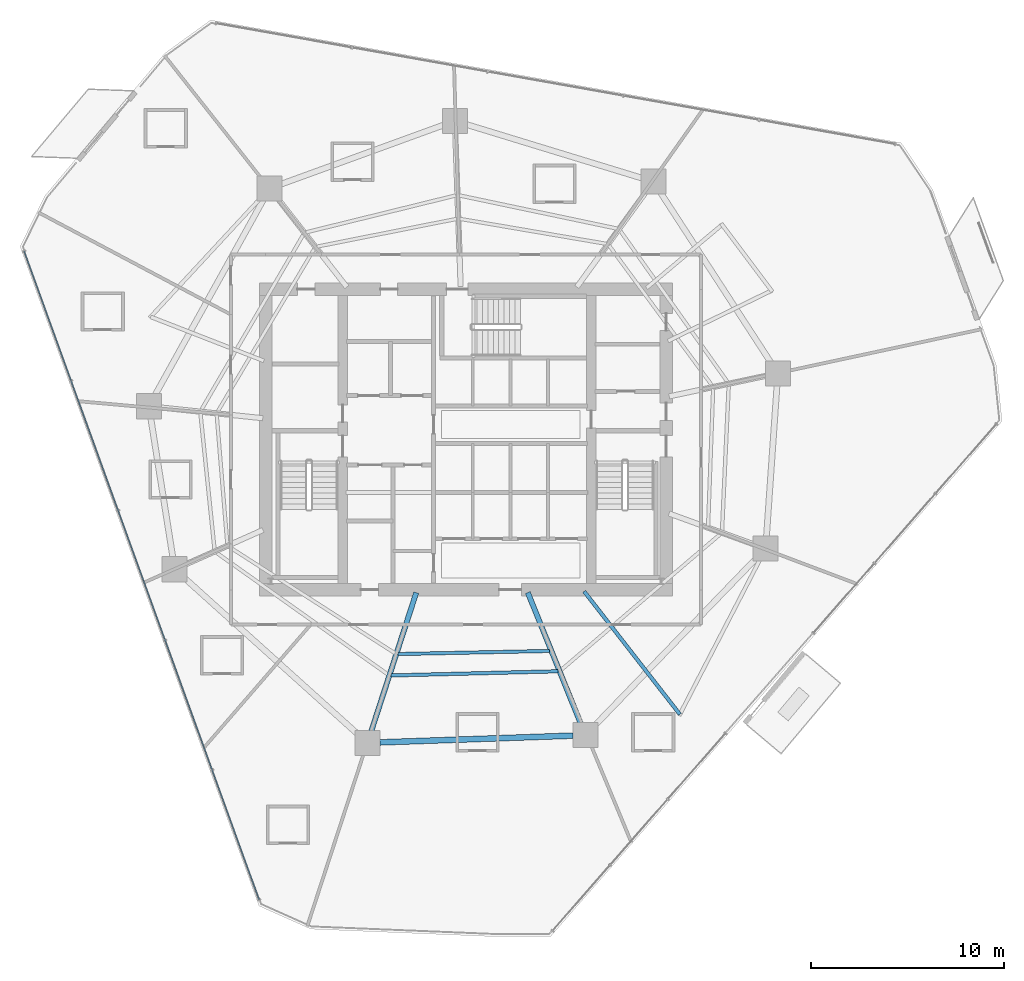
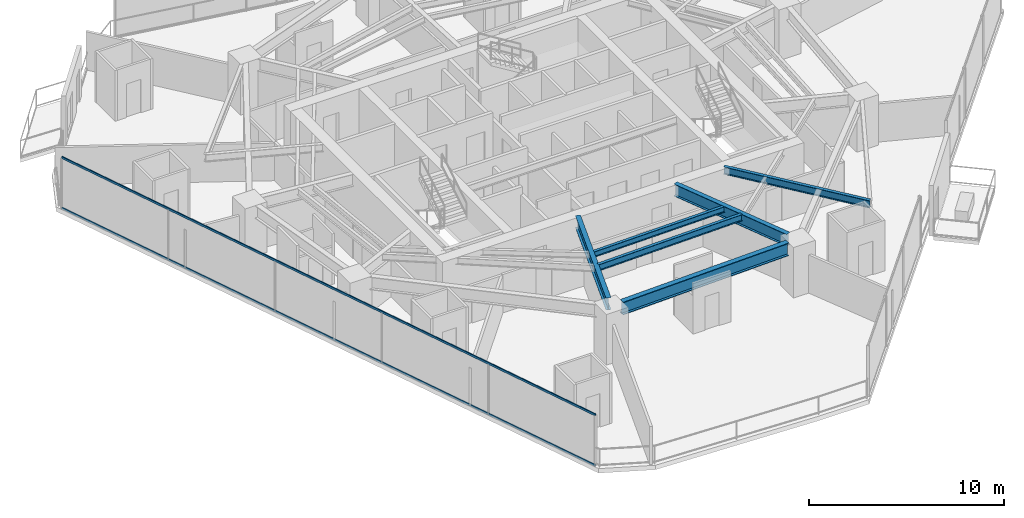
# One storey, part 6 of 33: 6 beams, 2 members, 1 element without a shape of its own.
"""IFC4 building model written with IfcOpenShell, lengths in metres."""

from ifc_helpers import new_model, si_unit, direction, frame, origin, origin_2d, place, context, subcontext, project, spatial, hollow_rectangle, i_section, extrude, material, layer, layer_set, material_profile, profile_set, type_object, element, aggregate, save


model = new_model("IFC4")

# Units and contexts
model_context = context("Model", 3, precision=1e-05, world=origin(), true_north=direction((0.0, 1.0)))
body_context = subcontext(model_context, "Body", "Model", "MODEL_VIEW")
ifc_project = project(units=[si_unit("LENGTHUNIT", "METRE"), si_unit("AREAUNIT", "SQUARE_METRE"), si_unit("VOLUMEUNIT", "CUBIC_METRE"), si_unit("PLANEANGLEUNIT", "RADIAN"), si_unit("MASSUNIT", "GRAM", prefix="KILO")], contexts=[model_context])

# Site, building, storey
site_placement = place(None, origin())
site = spatial("IfcSite", under=ifc_project, at=site_placement, CompositionType="ELEMENT")
building_placement = place(site_placement, origin())
building = spatial("IfcBuilding", under=site, at=building_placement, Name="Qarnah Convention Tower", CompositionType="ELEMENT")
storey_placement = place(building_placement, frame((0.0, 0.0, 30.449951171875)))
storey = spatial("IfcBuildingStorey", under=building, at=storey_placement, Name="L06", CompositionType="ELEMENT", Elevation=30.449951171875)

# Beams
ifc_material_1 = material(Name="Structural steel S355JR", Category="steel")
ifc_material_profile_1 = material_profile(ifc_material_1, i_section(OverallWidth=0.19189453125, OverallDepth=0.464111328125, WebThickness=0.010986328125, FlangeThickness=0.01806640625, at=origin_2d()), Name="W460X89")
ifc_profile_set_1 = profile_set([ifc_material_profile_1], Name="Structural steel S355JR")
beam_type_1 = type_object("IfcBeamType", Name="BM-CANT-W460A", PredefinedType="BEAM", material=ifc_profile_set_1)
beam_1_placement = place(storey_placement, frame((43.3310546875, 18.52099609375, 2.93798828125), z_axis=(0.61429570134, -0.789075909729, 0.0), x_axis=(0.789075909729, 0.61429570134, 0.0)))
element("IfcBeam", 1, at=beam_1_placement, inside=storey, type_object=beam_type_1, Name="L06 beam BM-L06-CNT-03-2", PredefinedType="BEAM", context=body_context, shape_type="SweptSolid", body=[
    extrude(i_section(OverallWidth=0.19189453125, OverallDepth=0.464111328125, WebThickness=0.010986328125, FlangeThickness=0.01806640625, at=origin_2d()), origin(), (0.0, 0.0, 1.0), 8.090576171875),
])
ifc_material_profile_2 = material_profile(ifc_material_1, i_section(OverallWidth=0.172119140625, OverallDepth=0.35595703125, WebThickness=0.007080078125, FlangeThickness=0.011962890625, at=origin_2d()), Name="W360X51")
ifc_profile_set_2 = profile_set([ifc_material_profile_2], Name="Structural steel S355JR")
beam_type_2 = type_object("IfcBeamType", Name="BM-JST-W360", PredefinedType="JOIST", material=ifc_profile_set_2)
beam_2_placement = place(storey_placement, frame((33.672119140625, 15.26708984375, 2.991943359375), z_axis=(0.999788551821, 0.020563356906, 0.0), x_axis=(-0.020563356906, 0.999788551821, 0.0)))
element("IfcBeam", 2, at=beam_2_placement, inside=storey, type_object=beam_type_2, Name="L06 joist BM-L06-IJST-07", PredefinedType="JOIST", context=body_context, shape_type="SweptSolid", body=[
    extrude(i_section(OverallWidth=0.172119140625, OverallDepth=0.35595703125, WebThickness=0.007080078125, FlangeThickness=0.011962890625, at=origin_2d()), origin(), (0.0, 0.0, 1.0), 7.87158203125),
])
ifc_material_profile_3 = material_profile(ifc_material_1, i_section(OverallWidth=0.177978515625, OverallDepth=0.407958984375, WebThickness=0.008056640625, FlangeThickness=0.012939453125, at=origin_2d()), Name="W410X60")
ifc_profile_set_3 = profile_set([ifc_material_profile_3], Name="Structural steel S355JR")
beam_type_3 = type_object("IfcBeamType", Name="BM-JST-W410", PredefinedType="JOIST", material=ifc_profile_set_3)
beam_3_placement = place(storey_placement, frame((33.31103515625, 14.156005859375, 2.966064453125), z_axis=(0.99968593615, 0.025060508057, 0.0), x_axis=(-0.025060508057, 0.99968593615, 0.0)))
element("IfcBeam", 3, at=beam_3_placement, inside=storey, type_object=beam_type_3, Name="L06 joist BM-L06-SJST-07", PredefinedType="JOIST", context=body_context, shape_type="SweptSolid", body=[
    extrude(i_section(OverallWidth=0.177978515625, OverallDepth=0.407958984375, WebThickness=0.008056640625, FlangeThickness=0.012939453125, at=origin_2d()), origin(), (0.0, 0.0, 1.0), 8.66064453125),
])
ifc_material_profile_4 = material_profile(ifc_material_1, i_section(OverallWidth=0.26806640625, OverallDepth=0.760009765625, WebThickness=0.014892578125, FlangeThickness=0.02197265625, at=origin_2d()), Name="W760X185")
ifc_profile_set_4 = profile_set([ifc_material_profile_4], Name="Structural steel S355JR")
beam_type_4 = type_object("IfcBeamType", Name="BM-RAD-W760", PredefinedType="BEAM", material=ifc_profile_set_4)
beam_4_placement = place(storey_placement, frame((34.6201171875, 18.45703125, 2.7900390625), z_axis=(-0.309057625925, -0.951043313345, 0.0), x_axis=(0.951043313345, -0.309057625925, 0.0)))
element("IfcBeam", 4, at=beam_4_placement, inside=storey, type_object=beam_type_4, Name="L06 beam BM-L06-RAD-07", PredefinedType="BEAM", context=body_context, shape_type="SweptSolid", body=[
    extrude(i_section(OverallWidth=0.26806640625, OverallDepth=0.760009765625, WebThickness=0.014892578125, FlangeThickness=0.02197265625, at=origin_2d()), origin(), (0.0, 0.0, 1.0), 7.568603515625),
])
beam_5_placement = place(storey_placement, frame((40.407958984375, 18.4609375, 2.7900390625), z_axis=(0.374586487969, -0.927191977441, 0.0), x_axis=(0.927191977441, 0.374586487969, 0.0)))
element("IfcBeam", 5, at=beam_5_placement, inside=storey, type_object=beam_type_4, Name="L06 beam BM-L06-RAD-08", PredefinedType="BEAM", context=body_context, shape_type="SweptSolid", body=[
    extrude(i_section(OverallWidth=0.26806640625, OverallDepth=0.760009765625, WebThickness=0.014892578125, FlangeThickness=0.02197265625, at=origin_2d()), origin(), (0.0, 0.0, 1.0), 7.357666015625),
])
ifc_material_profile_5 = material_profile(ifc_material_1, i_section(OverallWidth=0.300048828125, OverallDepth=0.800048828125, WebThickness=0.01806640625, FlangeThickness=0.032958984375, at=origin_2d()), Name="HEB800")
ifc_profile_set_5 = profile_set([ifc_material_profile_5], Name="Structural steel S355JR")
beam_type_5 = type_object("IfcBeamType", Name="BM-RING-HEB800", PredefinedType="BEAM", material=ifc_profile_set_5)
beam_6_placement = place(storey_placement, frame((32.72607421875, 10.681884765625, 2.77001953125), z_axis=(0.999388457365, 0.034967288783, 0.0), x_axis=(-0.034967288783, 0.999388457365, 0.0)))
element("IfcBeam", 6, at=beam_6_placement, inside=storey, type_object=beam_type_5, Name="L06 beam BM-L06-SPN-07", PredefinedType="BEAM", context=body_context, shape_type="SweptSolid", body=[
    extrude(i_section(OverallWidth=0.300048828125, OverallDepth=0.800048828125, WebThickness=0.01806640625, FlangeThickness=0.032958984375, at=origin_2d()), origin(), (0.0, 0.0, 1.0), 10.0400390625),
])

# Curtain wall, members
ifc_material_2 = material(Name="Tempered Low-E dark glass", Category="glass")
ifc_layer = layer(ifc_material_2, 0.16796875)
ifc_layer_set = layer_set([ifc_layer], Name="Tempered Low-E dark glass")
curtain_wall_type = type_object("IfcCurtainWallType", Name="CWS-01", PredefinedType="NOTDEFINED", material=ifc_layer_set)
curtain_wall_placement = place(storey_placement, origin())
curtain_wall = element("IfcCurtainWall", 7, at=curtain_wall_placement, inside=storey, type_object=curtain_wall_type, Name="L06 unitised curtain wall CW-L06-F2", PredefinedType="NOTDEFINED")
ifc_material_3 = material(Name="Black anodised aluminium", Category="aluminium")
ifc_material_profile_6 = material_profile(ifc_material_3, hollow_rectangle(XDim=0.06005859375, YDim=0.1298828125, WallThickness=0.00390625, at=origin_2d()), Name="TRN-60X130")
ifc_profile_set_6 = profile_set([ifc_material_profile_6], Name="Black anodised aluminium")
member_type = type_object("IfcMemberType", Name="TRN-T1", PredefinedType="USERDEFINED", material=ifc_profile_set_6)
member_1_placement = place(storey_placement, frame((26.466064453125, 2.512939453125, 0.0), z_axis=(-0.340731228497, 0.940160746855, 0.0), x_axis=(-0.940160746855, -0.340731228497, 0.0)))
member_1 = element("IfcMember", 8, at=member_1_placement, type_object=member_type, Name="CW-L06-F2 transom 1", ObjectType="TRANSOM", PredefinedType="USERDEFINED", context=body_context, shape_type="SweptSolid", body=[
    extrude(hollow_rectangle(XDim=0.06005859375, YDim=0.1298828125, WallThickness=0.00390625, at=origin_2d()), origin(), (0.0, 0.0, 1.0), 35.808837890625),
])
member_2_placement = place(storey_placement, frame((26.466064453125, 2.512939453125, 3.170166015625), z_axis=(-0.340731228497, 0.940160746855, 0.0), x_axis=(-0.940160746855, -0.340731228497, 0.0)))
member_2 = element("IfcMember", 9, at=member_2_placement, type_object=member_type, Name="CW-L06-F2 transom 2", ObjectType="TRANSOM", PredefinedType="USERDEFINED", context=body_context, shape_type="SweptSolid", body=[
    extrude(hollow_rectangle(XDim=0.06005859375, YDim=0.1298828125, WallThickness=0.00390625, at=origin_2d()), origin(), (0.0, 0.0, 1.0), 35.808837890625),
])
aggregate(curtain_wall, [member_1, member_2])

save(model, "model.ifc")
